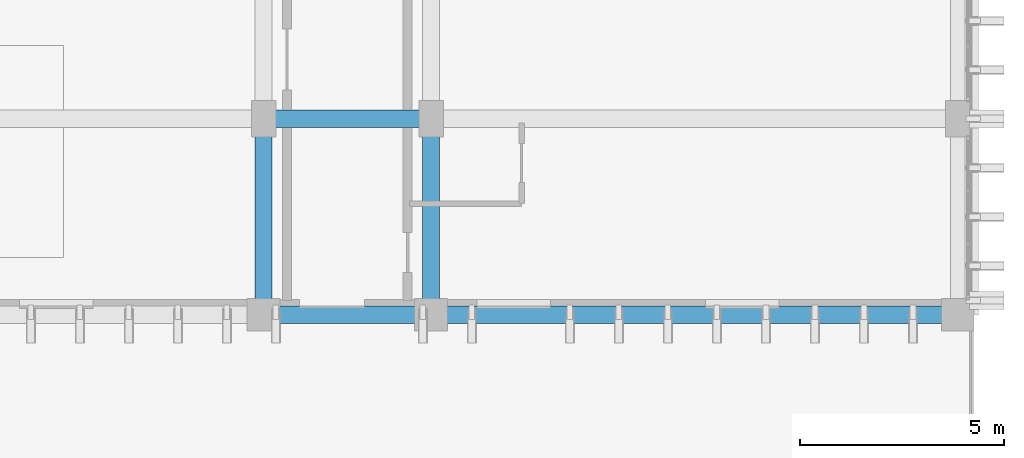
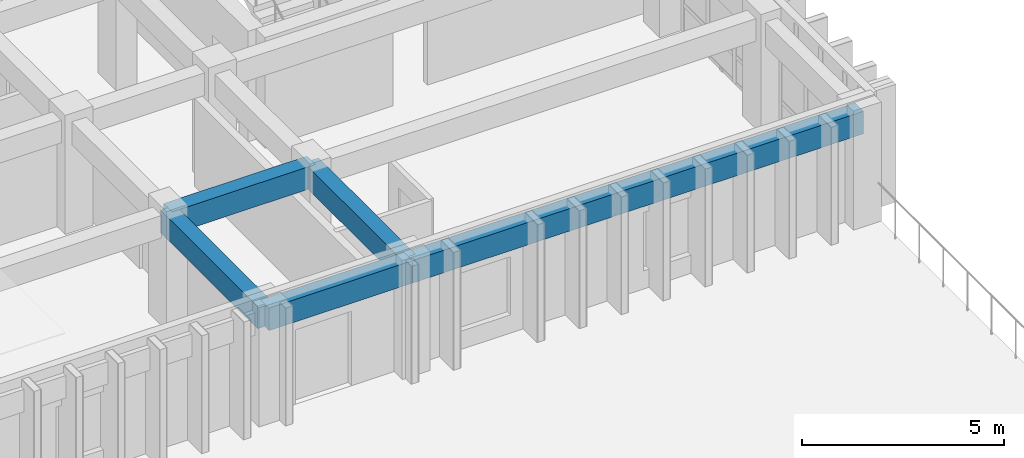
# One storey, part 3 of 82: 5 beams.
"""IFC4 building model written with IfcOpenShell, lengths in metres."""

from ifc_helpers import new_model, si_unit, direction, frame, origin, origin_2d, place, context, subcontext, project, spatial, rectangle, extrude, material, material_profile, profile_set, type_object, element, save


model = new_model("IFC4")

# Units and contexts
model_context = context("Model", 3, precision=1e-05, world=origin(), true_north=direction((0.0, 1.0)))
body_context = subcontext(model_context, "Body", "Model", "MODEL_VIEW")
ifc_project = project(units=[si_unit("LENGTHUNIT", "METRE"), si_unit("AREAUNIT", "SQUARE_METRE"), si_unit("VOLUMEUNIT", "CUBIC_METRE"), si_unit("PLANEANGLEUNIT", "RADIAN"), si_unit("MASSUNIT", "GRAM", prefix="KILO")], contexts=[model_context])

# Site, building, storey
site_placement = place(None, origin())
site = spatial("IfcSite", under=ifc_project, at=site_placement, CompositionType="ELEMENT")
building_placement = place(site_placement, origin())
building = spatial("IfcBuilding", under=site, at=building_placement, Name="Nakhvara Creek Congress Hotel", CompositionType="ELEMENT")
storey_placement = place(building_placement, frame((0.0, 0.0, 21.0)))
storey = spatial("IfcBuildingStorey", under=building, at=storey_placement, Name="L04", CompositionType="ELEMENT", Elevation=21.0)

# Beams
ifc_material = material(Name="Concrete C40/50", Category="concrete")
ifc_material_profile = material_profile(ifc_material, rectangle(XDim=0.419921875, YDim=0.679931640625, at=origin_2d()), Name="RC-BM 420x680", Category="LoadBearing")
ifc_profile_set = profile_set([ifc_material_profile], Name="Concrete C40/50")
beam_type = type_object("IfcBeamType", Name="BM-RC-420X680", PredefinedType="BEAM", material=ifc_profile_set)
beam_1_placement = place(storey_placement, frame((162.35009765625, 19.199951171875, 3.0), z_axis=(1.0, 0.0, 0.0), x_axis=(0.0, 1.0, 0.0)))
element("IfcBeam", 1, at=beam_1_placement, inside=storey, type_object=beam_type, Name="Beam B11-L04-1941", PredefinedType="BEAM", context=body_context, shape_type="SweptSolid", body=[
    extrude(rectangle(XDim=0.419921875, YDim=0.679931640625, at=origin_2d()), origin(), (0.0, 0.0, 1.0), 4.099853515625),
])
beam_2_placement = place(storey_placement, frame((162.35009765625, 19.199951171875, 3.0), z_axis=(0.0, 1.0, 0.0), x_axis=(-1.0, 0.0, 0.0)))
element("IfcBeam", 2, at=beam_2_placement, inside=storey, type_object=beam_type, Name="Beam B11-L04-1942", PredefinedType="BEAM", context=body_context, shape_type="SweptSolid", body=[
    extrude(rectangle(XDim=0.419921875, YDim=0.679931640625, at=origin_2d()), origin(), (0.0, 0.0, 1.0), 4.800048828125),
])
beam_3_placement = place(storey_placement, frame((166.449951171875, 19.199951171875, 3.0), z_axis=(1.0, 0.0, 0.0), x_axis=(0.0, 1.0, 0.0)))
element("IfcBeam", 3, at=beam_3_placement, inside=storey, type_object=beam_type, Name="Beam B11-L04-1975", PredefinedType="BEAM", context=body_context, shape_type="SweptSolid", body=[
    extrude(rectangle(XDim=0.419921875, YDim=0.679931640625, at=origin_2d()), origin(), (0.0, 0.0, 1.0), 12.900146484375),
])
beam_4_placement = place(storey_placement, frame((166.449951171875, 19.199951171875, 3.0), z_axis=(0.0, 1.0, 0.0), x_axis=(-1.0, 0.0, 0.0)))
element("IfcBeam", 4, at=beam_4_placement, inside=storey, type_object=beam_type, Name="Beam B11-L04-1976", PredefinedType="BEAM", context=body_context, shape_type="SweptSolid", body=[
    extrude(rectangle(XDim=0.419921875, YDim=0.679931640625, at=origin_2d()), origin(), (0.0, 0.0, 1.0), 4.800048828125),
])
beam_5_placement = place(storey_placement, frame((162.35009765625, 24.0, 3.0), z_axis=(1.0, 0.0, 0.0), x_axis=(0.0, 1.0, 0.0)))
element("IfcBeam", 5, at=beam_5_placement, inside=storey, type_object=beam_type, Name="Beam B11-L04-2038", PredefinedType="BEAM", context=body_context, shape_type="SweptSolid", body=[
    extrude(rectangle(XDim=0.419921875, YDim=0.679931640625, at=origin_2d()), origin(), (0.0, 0.0, 1.0), 4.099853515625),
])

save(model, "model.ifc")
